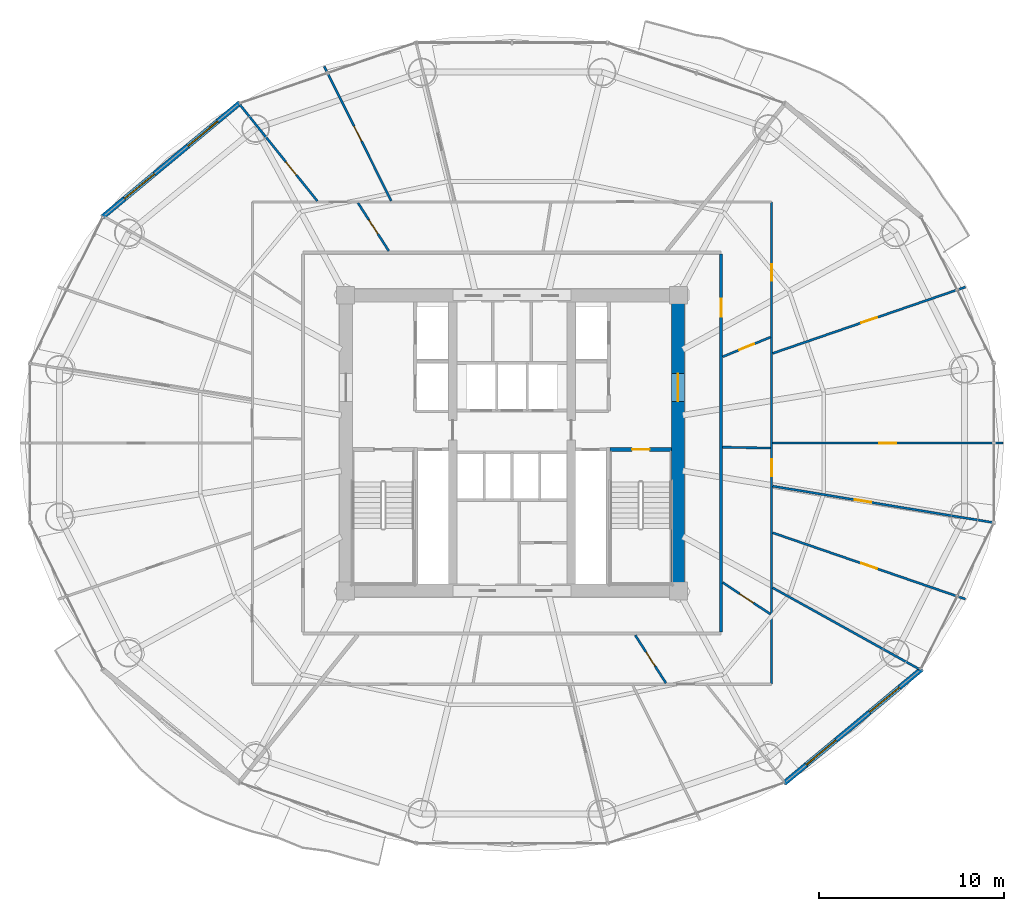
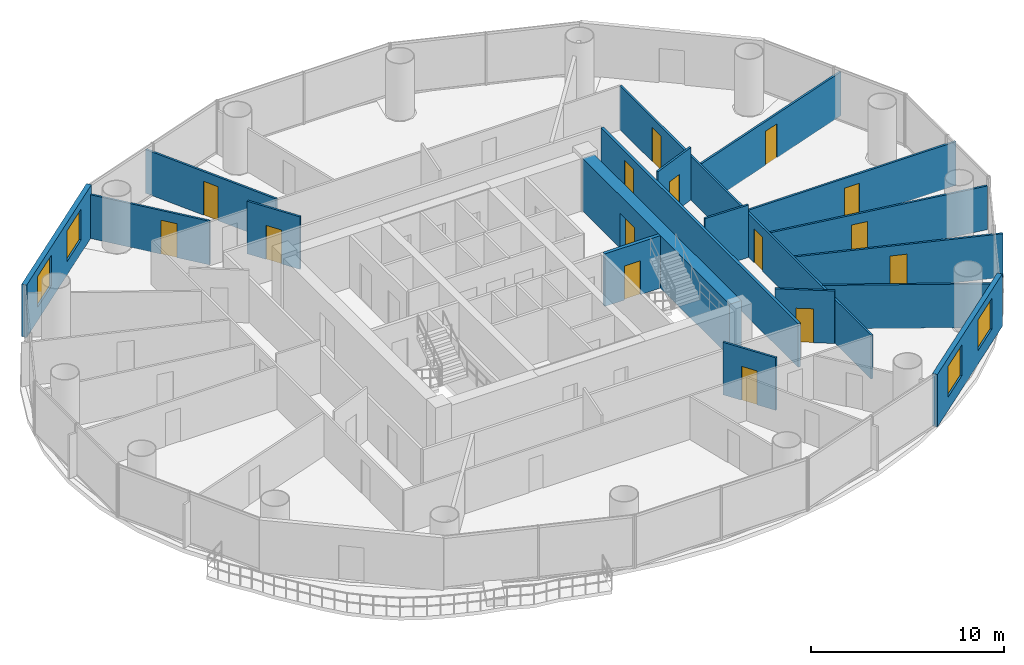
# One storey, part 24 of 29: 18 walls, 15 doors, 4 windows, 19 openings.
"""IFC4 building model written with IfcOpenShell, lengths in metres."""

from ifc_helpers import new_model, si_unit, direction, frame, frame_2d, origin, place, context, subcontext, project, spatial, rectangle, extrude, source, transform, mapped, material, layer, layer_set, type_object, element, fill, save


model = new_model("IFC4")

# Units and contexts
model_context = context("Model", 3, precision=1e-05, world=origin(), true_north=direction((-0.2419218956, 0.970295726276)))
body_context = subcontext(model_context, "Body", "Model", "MODEL_VIEW")
ifc_project = project(units=[si_unit("LENGTHUNIT", "METRE"), si_unit("AREAUNIT", "SQUARE_METRE"), si_unit("VOLUMEUNIT", "CUBIC_METRE"), si_unit("PLANEANGLEUNIT", "RADIAN"), si_unit("MASSUNIT", "GRAM", prefix="KILO")], contexts=[model_context])

# Site, building, storey
site_placement = place(None, origin())
site = spatial("IfcSite", under=ifc_project, at=site_placement, CompositionType="ELEMENT")
building_placement = place(site_placement, origin())
building = spatial("IfcBuilding", under=site, at=building_placement, Name="Cobrevalo Terracotta Tower", CompositionType="ELEMENT")
storey_placement = place(building_placement, frame((0.0, 0.0, 112.199951171875)))
storey = spatial("IfcBuildingStorey", under=building, at=storey_placement, Name="L29", CompositionType="ELEMENT", Elevation=112.199951171875)

# Wall, opening, door
ifc_material_1 = material(Name="Concrete C60", Category="concrete")
ifc_layer_1 = layer(ifc_material_1, 0.699951171875)
ifc_layer_set_1 = layer_set([ifc_layer_1], Name="Concrete C60")
wall_type_1 = type_object("IfcWallType", Name="Core shear wall 700 mm Concrete C60", PredefinedType="SHEAR", material=ifc_layer_set_1)
wall_1_placement = place(storey_placement, frame((46.97509765625, 19.175048828125, 0.0), z_axis=(0.0, 0.0, 1.0), x_axis=(0.0, 1.0, 0.0)))
wall_1 = element("IfcWall", 1, at=wall_1_placement, inside=storey, type_object=wall_type_1, Name="L29 east core shear wall", PredefinedType="SHEAR", context=body_context, shape_type="SweptSolid", body=[
    extrude(rectangle(XDim=15.25, YDim=0.699951171875, at=frame_2d((7.625, 0.0))), origin(), (0.0, 0.0, 1.0), 3.324951171875),
])
opening_1_placement = place(wall_1_placement, frame((9.875, 0.0, 0.0)))
opening_1 = element("IfcOpeningElement", 2, at=opening_1_placement, cuts=wall_1, Name="Opening ID-14", PredefinedType="OPENING", context=body_context, shape_type="SweptSolid", body=[
    extrude(rectangle(XDim=1.5, YDim=2.199951171875, at=frame_2d((0.75, 1.10009765625))), frame((0.0, 0.35986328125, 0.0), z_axis=(0.0, -1.0, 0.0), x_axis=(1.0, 0.0, 0.0)), (0.0, 0.0, 1.0), 0.719970703125),
])
ifc_material_2 = material(Name="Galvanized fire-rated steel", Category="steel")
door_type_1 = type_object("IfcDoorType", Name="Core cross-lobby double fire door 1500x2200 EI 90", OperationType="NOTDEFINED", PredefinedType="DOOR", material=ifc_material_2)
shared_shape_1 = source(origin(), body_context, "Body", "SweptSolid", [
    extrude(rectangle(XDim=1.5, YDim=2.199951171875, at=frame_2d((0.75, 1.10009765625))), frame((0.0, 0.02490234375, 0.0), z_axis=(0.0, -1.0, 0.0), x_axis=(1.0, 0.0, 0.0)), (0.0, 0.0, 1.0), 0.050048828125),
])
door_1_placement = place(opening_1_placement, frame((1.5, 0.0, 0.0), z_axis=(0.0, 0.0, 1.0), x_axis=(-1.0, 0.0, 0.0)))
door_1 = element("IfcDoor", 3, at=door_1_placement, inside=storey, type_object=door_type_1, Name="L29 east firefighting lobby entrance door", OperationType="DOUBLE_DOOR_SINGLE_SWING", OverallHeight=2.199951171875, OverallWidth=1.5, PredefinedType="DOOR", context=body_context, shape_type="MappedRepresentation", body=[
    mapped(shared_shape_1, transform((0.0, 0.0, 0.0), scale=1.0)),
])
fill(opening_1, door_1)

ifc_material_3 = material(Name="Gypsum board on steel stud", Category="steel")
ifc_layer_2 = layer(ifc_material_3, 0.159912109375)
ifc_layer_set_2 = layer_set([ifc_layer_2], Name="Gypsum board on steel stud")
wall_type_2 = type_object("IfcWallType", Name="Fire-rated corridor acoustic partition wall 160 mm", PredefinedType="PARTITIONING", material=ifc_layer_set_2)
wall_2_placement = place(storey_placement, frame((49.304931640625, 16.574951171875, 0.0), z_axis=(0.0, 0.0, 1.0), x_axis=(0.0, 1.0, 0.0)))
wall_2 = element("IfcWall", 4, at=wall_2_placement, inside=storey, type_object=wall_type_2, Name="L29 interior partition IW-L29-COR-E", PredefinedType="PARTITIONING", context=body_context, shape_type="SweptSolid", body=[
    extrude(rectangle(XDim=20.449951171875, YDim=0.159912109375, at=frame_2d((10.22509765625, 0.0))), origin(), (0.0, 0.0, 1.0), 2.76708984375),
])
opening_2_placement = place(wall_2_placement, frame((17.045654296875, 0.0, 0.0)))
opening_2 = element("IfcOpeningElement", 5, at=opening_2_placement, cuts=wall_2, Name="Opening ID-05", PredefinedType="OPENING", context=body_context, shape_type="SweptSolid", body=[
    extrude(rectangle(XDim=0.97998046875, YDim=2.199951171875, at=frame_2d((0.489990234375, 1.10009765625))), frame((0.0, 0.08984375, 0.0), z_axis=(0.0, -1.0, 0.0), x_axis=(1.0, 0.0, 0.0)), (0.0, 0.0, 1.0), 0.179931640625),
])
ifc_material_4 = material(Name="Solid hardwood timber", Category="wood")
door_type_2 = type_object("IfcDoorType", Name="Residence entrance fire-rated acoustic timber door 980x2200 EI 60", OperationType="NOTDEFINED", PredefinedType="DOOR", material=ifc_material_4)
shared_shape_2 = source(origin(), body_context, "Body", "SweptSolid", [
    extrude(rectangle(XDim=0.97998046875, YDim=2.199951171875, at=frame_2d((0.489990234375, 1.10009765625))), frame((0.0, 0.02490234375, 0.0), z_axis=(0.0, -1.0, 0.0), x_axis=(1.0, 0.0, 0.0)), (0.0, 0.0, 1.0), 0.050048828125),
])
door_2_placement = place(opening_2_placement, frame((0.97998046875, 0.0, 0.0), z_axis=(0.0, 0.0, 1.0), x_axis=(-1.0, 0.0, 0.0)))
door_2 = element("IfcDoor", 6, at=door_2_placement, inside=storey, type_object=door_type_2, Name="Flat L29B fire-rated apartment entrance door", OperationType="SINGLE_SWING_RIGHT", OverallHeight=2.199951171875, OverallWidth=0.97998046875, PredefinedType="DOOR", context=body_context, shape_type="MappedRepresentation", body=[
    mapped(shared_shape_2, transform((0.0, 0.0, 0.0), scale=1.0)),
])
fill(opening_2, door_2)

# Wall, openings, windows
ifc_material_5 = material(Name="Autoclaved aerated concrete block", Category="concrete")
ifc_layer_3 = layer(ifc_material_5, 0.280029296875)
ifc_layer_set_3 = layer_set([ifc_layer_3], Name="Autoclaved aerated concrete block")
wall_type_3 = type_object("IfcWallType", Name="Insulated tower spandrel & pier wall 280 mm with terracotta rainscreen", PredefinedType="SOLIDWALL", material=ifc_layer_set_3)
wall_3_placement = place(storey_placement, frame((23.300048828125, 45.20166015625, 0.0), z_axis=(0.0, 0.0, 1.0), x_axis=(-0.769242574941, -0.638956853706, 0.0)))
wall_3 = element("IfcWall", 7, at=wall_3_placement, inside=storey, type_object=wall_type_3, Name="L29 terracotta rainscreen pier wall S06", PredefinedType="SOLIDWALL", context=body_context, shape_type="SweptSolid", body=[
    extrude(rectangle(XDim=9.68994140625, YDim=0.280029296875, at=frame_2d((4.844970703125, 0.0))), origin(), (0.0, 0.0, 1.0), 3.324951171875),
])
opening_3_placement = place(wall_3_placement, frame((1.566162109375, 0.0, 0.85009765625)))
opening_3 = element("IfcOpeningElement", 8, at=opening_3_placement, cuts=wall_3, Name="Opening WN-10", PredefinedType="OPENING", context=body_context, shape_type="SweptSolid", body=[
    extrude(rectangle(XDim=2.10009765625, YDim=1.949951171875, at=frame_2d((1.050048828125, 0.97509765625))), frame((0.0, 0.14990234375, 0.0), z_axis=(0.0, -1.0, 0.0), x_axis=(1.0, 0.0, 0.0)), (0.0, 0.0, 1.0), 0.300048828125),
])
opening_4_placement = place(wall_3_placement, frame((6.0234375, 0.0, 0.85009765625)))
opening_4 = element("IfcOpeningElement", 9, at=opening_4_placement, cuts=wall_3, Name="Opening WN-10", PredefinedType="OPENING", context=body_context, shape_type="SweptSolid", body=[
    extrude(rectangle(XDim=2.10009765625, YDim=1.949951171875, at=frame_2d((1.050048828125, 0.97509765625))), frame((0.0, 0.14990234375, 0.0), z_axis=(0.0, -1.0, 0.0), x_axis=(1.0, 0.0, 0.0)), (0.0, 0.0, 1.0), 0.300048828125),
])
ifc_material_6 = material(Name="Solar-control low-E double glazing", Category="glass")
window_type = type_object("IfcWindowType", Name="Wide panoramic low-E aluminium window 2100x1950", PartitioningType="SINGLE_PANEL", PredefinedType="WINDOW", material=ifc_material_6)
shared_shape_3 = source(origin(), body_context, "Body", "SweptSolid", [
    extrude(rectangle(XDim=2.10009765625, YDim=1.949951171875, at=frame_2d((1.050048828125, 0.97509765625))), frame((0.0, 0.030029296875, 0.0), z_axis=(0.0, -1.0, 0.0), x_axis=(1.0, 0.0, 0.0)), (0.0, 0.0, 1.0), 0.06005859375),
])
window_1_placement = place(opening_3_placement, origin())
window_1 = element("IfcWindow", 10, at=window_1_placement, inside=storey, type_object=window_type, Name="L29 suite window S06A", OverallHeight=1.949951171875, OverallWidth=2.10009765625, PartitioningType="SINGLE_PANEL", PredefinedType="WINDOW", context=body_context, shape_type="MappedRepresentation", body=[
    mapped(shared_shape_3, transform((0.0, 0.0, 0.0), scale=1.0)),
])
fill(opening_3, window_1)
window_2_placement = place(opening_4_placement, origin())
window_2 = element("IfcWindow", 11, at=window_2_placement, inside=storey, type_object=window_type, Name="L29 suite window S06B", OverallHeight=1.949951171875, OverallWidth=2.10009765625, PartitioningType="SINGLE_PANEL", PredefinedType="WINDOW", context=body_context, shape_type="MappedRepresentation", body=[
    mapped(shared_shape_3, transform((0.0, 0.0, 0.0), scale=1.0)),
])
fill(opening_4, window_2)

wall_4_placement = place(storey_placement, frame((52.699951171875, 8.3984375, 0.0), z_axis=(0.0, 0.0, 1.0), x_axis=(0.769254958887, 0.638941944333, 0.0)))
wall_4 = element("IfcWall", 12, at=wall_4_placement, inside=storey, type_object=wall_type_3, Name="L29 terracotta rainscreen pier wall S14", PredefinedType="SOLIDWALL", context=body_context, shape_type="SweptSolid", body=[
    extrude(rectangle(XDim=9.689697265625, YDim=0.280029296875, at=frame_2d((4.8447265625, 0.0))), origin(), (0.0, 0.0, 1.0), 3.324951171875),
])
opening_5_placement = place(wall_4_placement, frame((1.566162109375, 0.0, 0.85009765625)))
opening_5 = element("IfcOpeningElement", 13, at=opening_5_placement, cuts=wall_4, Name="Opening WN-10", PredefinedType="OPENING", context=body_context, shape_type="SweptSolid", body=[
    extrude(rectangle(XDim=2.10009765625, YDim=1.949951171875, at=frame_2d((1.050048828125, 0.97509765625))), frame((0.0, 0.14990234375, 0.0), z_axis=(0.0, -1.0, 0.0), x_axis=(1.0, 0.0, 0.0)), (0.0, 0.0, 1.0), 0.300048828125),
])
opening_6_placement = place(wall_4_placement, frame((6.0234375, 0.0, 0.85009765625)))
opening_6 = element("IfcOpeningElement", 14, at=opening_6_placement, cuts=wall_4, Name="Opening WN-10", PredefinedType="OPENING", context=body_context, shape_type="SweptSolid", body=[
    extrude(rectangle(XDim=2.10009765625, YDim=1.949951171875, at=frame_2d((1.050048828125, 0.97509765625))), frame((0.0, 0.14990234375, 0.0), z_axis=(0.0, -1.0, 0.0), x_axis=(1.0, 0.0, 0.0)), (0.0, 0.0, 1.0), 0.300048828125),
])
window_3_placement = place(opening_5_placement, origin())
window_3 = element("IfcWindow", 15, at=window_3_placement, inside=storey, type_object=window_type, Name="L29 suite window S14A", OverallHeight=1.949951171875, OverallWidth=2.10009765625, PartitioningType="SINGLE_PANEL", PredefinedType="WINDOW", context=body_context, shape_type="MappedRepresentation", body=[
    mapped(shared_shape_3, transform((0.0, 0.0, 0.0), scale=1.0)),
])
fill(opening_5, window_3)
window_4_placement = place(opening_6_placement, origin())
window_4 = element("IfcWindow", 16, at=window_4_placement, inside=storey, type_object=window_type, Name="L29 suite window S14B", OverallHeight=1.949951171875, OverallWidth=2.10009765625, PartitioningType="SINGLE_PANEL", PredefinedType="WINDOW", context=body_context, shape_type="MappedRepresentation", body=[
    mapped(shared_shape_3, transform((0.0, 0.0, 0.0), scale=1.0)),
])
fill(opening_6, window_4)

# Wall, opening, door
ifc_layer_4 = layer(ifc_material_3, 0.1201171875)
ifc_layer_set_4 = layer_set([ifc_layer_4], Name="Gypsum board on steel stud")
wall_type_4 = type_object("IfcWallType", Name="Residential internal acoustic stud partition 120 mm", PredefinedType="PARTITIONING", material=ifc_layer_set_4)
wall_5_placement = place(storey_placement, frame((31.4736328125, 39.890380859375, 0.0), z_axis=(0.0, 0.0, 1.0), x_axis=(-0.446167584581, 0.894949432353, 0.0)))
wall_5 = element("IfcWall", 17, at=wall_5_placement, inside=storey, type_object=wall_type_4, Name="L29 interior partition IW-L29-U1-ORAD2M1", PredefinedType="PARTITIONING", context=body_context, shape_type="SweptSolid", body=[
    extrude(rectangle(XDim=8.124755859375, YDim=0.1201171875, at=frame_2d((4.0625, 0.0))), origin(), (0.0, 0.0, 1.0), 2.76708984375),
])
opening_7_placement = place(wall_5_placement, frame((3.6123046875, 0.0, 0.0)))
opening_7 = element("IfcOpeningElement", 18, at=opening_7_placement, cuts=wall_5, Name="Opening ID-12", PredefinedType="OPENING", context=body_context, shape_type="SweptSolid", body=[
    extrude(rectangle(XDim=0.89990234375, YDim=2.14990234375, at=frame_2d((0.449951171875, 1.074951171875))), frame((0.0, 0.070068359375, 0.0), z_axis=(0.0, -1.0, 0.0), x_axis=(1.0, 0.0, 0.0)), (0.0, 0.0, 1.0), 0.14013671875),
])
ifc_material_7 = material(Name="Engineered timber", Category="wood")
door_type_3 = type_object("IfcDoorType", Name="Internal residence & suite timber door 900x2150", OperationType="NOTDEFINED", PredefinedType="DOOR", material=ifc_material_7)
shared_shape_4 = source(origin(), body_context, "Body", "SweptSolid", [
    extrude(rectangle(XDim=0.89990234375, YDim=2.14990234375, at=frame_2d((0.449951171875, 1.074951171875))), frame((0.0, 0.02490234375, 0.0), z_axis=(0.0, -1.0, 0.0), x_axis=(1.0, 0.0, 0.0)), (0.0, 0.0, 1.0), 0.050048828125),
])
door_3_placement = place(opening_7_placement, frame((0.89990234375, 0.0, 0.0), z_axis=(0.0, 0.0, 1.0), x_axis=(-1.0, 0.0, 0.0)))
door_3 = element("IfcDoor", 19, at=door_3_placement, inside=storey, type_object=door_type_3, Name="Flat L29A Master Bedroom internal door", OperationType="SINGLE_SWING_LEFT", OverallHeight=2.14990234375, OverallWidth=0.89990234375, PredefinedType="DOOR", context=body_context, shape_type="MappedRepresentation", body=[
    mapped(shared_shape_4, transform((0.0, 0.0, 0.0), scale=1.0)),
])
fill(opening_7, door_3)

wall_6_placement = place(storey_placement, frame((27.47802734375, 39.88330078125, 0.0), z_axis=(0.0, 0.0, 1.0), x_axis=(-0.62672583251, 0.779239841682, 0.0)))
wall_6 = element("IfcWall", 20, at=wall_6_placement, inside=storey, type_object=wall_type_4, Name="L29 interior partition IW-L29-U1-ORAD2", PredefinedType="PARTITIONING", context=body_context, shape_type="SweptSolid", body=[
    extrude(rectangle(XDim=6.678466796875, YDim=0.1201171875, at=frame_2d((3.33935546875, 0.0))), origin(), (0.0, 0.0, 1.0), 2.76708984375),
])
opening_8_placement = place(wall_6_placement, frame((1.8212890625, 0.0, 0.0)))
opening_8 = element("IfcOpeningElement", 21, at=opening_8_placement, cuts=wall_6, Name="Opening ID-12", PredefinedType="OPENING", context=body_context, shape_type="SweptSolid", body=[
    extrude(rectangle(XDim=0.89990234375, YDim=2.14990234375, at=frame_2d((0.449951171875, 1.074951171875))), frame((0.0, 0.070068359375, 0.0), z_axis=(0.0, -1.0, 0.0), x_axis=(1.0, 0.0, 0.0)), (0.0, 0.0, 1.0), 0.14013671875),
])
door_4_placement = place(opening_8_placement, origin())
door_4 = element("IfcDoor", 22, at=door_4_placement, inside=storey, type_object=door_type_3, Name="Flat L29A Principal Guest Bedroom internal door", OperationType="SINGLE_SWING_RIGHT", OverallHeight=2.14990234375, OverallWidth=0.89990234375, PredefinedType="DOOR", context=body_context, shape_type="MappedRepresentation", body=[
    mapped(shared_shape_4, transform((0.0, 0.0, 0.0), scale=1.0)),
])
fill(opening_8, door_4)

wall_7_placement = place(storey_placement, frame((31.33984375, 37.18505859375, 0.0), z_axis=(0.0, 0.0, 1.0), x_axis=(-0.539861631895, 0.841753775405, 0.0)))
wall_7 = element("IfcWall", 23, at=wall_7_placement, inside=storey, type_object=wall_type_4, Name="L29 interior partition IW-L29-U1-IRAD2", PredefinedType="PARTITIONING", context=body_context, shape_type="SweptSolid", body=[
    extrude(rectangle(XDim=3.0859375, YDim=0.1201171875, at=frame_2d((1.54296875, 0.0))), origin(), (0.0, 0.0, 1.0), 3.324951171875),
])
opening_9_placement = place(wall_7_placement, frame((1.093017578125, 0.0, 0.0)))
opening_9 = element("IfcOpeningElement", 24, at=opening_9_placement, cuts=wall_7, Name="Opening ID-12", PredefinedType="OPENING", context=body_context, shape_type="SweptSolid", body=[
    extrude(rectangle(XDim=0.89990234375, YDim=2.14990234375, at=frame_2d((0.449951171875, 1.074951171875))), frame((0.0, 0.070068359375, 0.0), z_axis=(0.0, -1.0, 0.0), x_axis=(1.0, 0.0, 0.0)), (0.0, 0.0, 1.0), 0.14013671875),
])
door_5_placement = place(opening_9_placement, frame((0.89990234375, 0.0, 0.0), z_axis=(0.0, 0.0, 1.0), x_axis=(-1.0, 0.0, 0.0)))
door_5 = element("IfcDoor", 25, at=door_5_placement, inside=storey, type_object=door_type_3, Name="Flat L29A Utility Closet internal door", OperationType="SINGLE_SWING_RIGHT", OverallHeight=2.14990234375, OverallWidth=0.89990234375, PredefinedType="DOOR", context=body_context, shape_type="MappedRepresentation", body=[
    mapped(shared_shape_4, transform((0.0, 0.0, 0.0), scale=1.0)),
])
fill(opening_9, door_5)

# Wall, openings, doors
wall_8_placement = place(storey_placement, frame((52.034912109375, 39.8349609375, 0.0), z_axis=(0.0, 0.0, 1.0), x_axis=(0.0, -1.0, 0.0)))
wall_8 = element("IfcWall", 26, at=wall_8_placement, inside=storey, type_object=wall_type_4, Name="L29 interior partition IW-L29-U2-RING1_0", PredefinedType="PARTITIONING", context=body_context, shape_type="SweptSolid", body=[
    extrude(rectangle(XDim=26.070068359375, YDim=0.1201171875, at=frame_2d((13.03515625, 0.0))), origin(), (0.0, 0.0, 1.0), 2.76708984375),
])
opening_10_placement = place(wall_8_placement, frame((3.362060546875, 0.0, 0.0)))
opening_10 = element("IfcOpeningElement", 27, at=opening_10_placement, cuts=wall_8, Name="Opening ID-12", PredefinedType="OPENING", context=body_context, shape_type="SweptSolid", body=[
    extrude(rectangle(XDim=0.89990234375, YDim=2.14990234375, at=frame_2d((0.449951171875, 1.074951171875))), frame((0.0, 0.070068359375, 0.0), z_axis=(0.0, -1.0, 0.0), x_axis=(1.0, 0.0, 0.0)), (0.0, 0.0, 1.0), 0.14013671875),
])
opening_11_placement = place(wall_8_placement, frame((13.923583984375, 0.0, 0.0)))
opening_11 = element("IfcOpeningElement", 28, at=opening_11_placement, cuts=wall_8, Name="Opening ID-12", PredefinedType="OPENING", context=body_context, shape_type="SweptSolid", body=[
    extrude(rectangle(XDim=0.89990234375, YDim=2.14990234375, at=frame_2d((0.449951171875, 1.074951171875))), frame((0.0, 0.070068359375, 0.0), z_axis=(0.0, -1.0, 0.0), x_axis=(1.0, 0.0, 0.0)), (0.0, 0.0, 1.0), 0.14013671875),
])
door_6_placement = place(opening_10_placement, origin())
door_6 = element("IfcDoor", 29, at=door_6_placement, inside=storey, type_object=door_type_3, Name="Flat L29B Private Cinema Room internal door", OperationType="SINGLE_SWING_RIGHT", OverallHeight=2.14990234375, OverallWidth=0.89990234375, PredefinedType="DOOR", context=body_context, shape_type="MappedRepresentation", body=[
    mapped(shared_shape_4, transform((0.0, 0.0, 0.0), scale=1.0)),
])
fill(opening_10, door_6)
door_7_placement = place(opening_11_placement, frame((0.89990234375, 0.0, 0.0), z_axis=(0.0, 0.0, 1.0), x_axis=(-1.0, 0.0, 0.0)))
door_7 = element("IfcDoor", 30, at=door_7_placement, inside=storey, type_object=door_type_3, Name="Flat L29B Kitchen internal door", OperationType="SINGLE_SWING_LEFT", OverallHeight=2.14990234375, OverallWidth=0.89990234375, PredefinedType="DOOR", context=body_context, shape_type="MappedRepresentation", body=[
    mapped(shared_shape_4, transform((0.0, 0.0, 0.0), scale=1.0)),
])
fill(opening_11, door_7)

# Wall
wall_9_placement = place(storey_placement, frame((52.089111328125, 18.978515625, 0.0), z_axis=(0.0, 0.0, 1.0), x_axis=(0.874313476423, -0.485361664066, 0.0)))
element("IfcWall", 31, at=wall_9_placement, inside=storey, type_object=wall_type_4, Name="L29 interior partition IW-L29-U2-ORAD3", PredefinedType="PARTITIONING", context=body_context, shape_type="SweptSolid", body=[
    extrude(rectangle(XDim=9.065673828125, YDim=0.1201171875, at=frame_2d((4.53271484375, 0.0))), origin(), (0.0, 0.0, 1.0), 2.76708984375),
])

# Wall, opening, door
wall_10_placement = place(storey_placement, frame((52.09375, 21.94970703125, 0.0), z_axis=(0.0, 0.0, 1.0), x_axis=(0.945573120726, -0.32540970078, 0.0)))
wall_10 = element("IfcWall", 32, at=wall_10_placement, inside=storey, type_object=wall_type_4, Name="L29 interior partition IW-L29-U2-ORAD4M1", PredefinedType="PARTITIONING", context=body_context, shape_type="SweptSolid", body=[
    extrude(rectangle(XDim=11.02197265625, YDim=0.1201171875, at=frame_2d((5.510986328125, 0.0))), origin(), (0.0, 0.0, 1.0), 2.76708984375),
])
opening_12_placement = place(wall_10_placement, frame((5.06103515625, 0.0, 0.0)))
opening_12 = element("IfcOpeningElement", 33, at=opening_12_placement, cuts=wall_10, Name="Opening ID-12", PredefinedType="OPENING", context=body_context, shape_type="SweptSolid", body=[
    extrude(rectangle(XDim=0.89990234375, YDim=2.14990234375, at=frame_2d((0.449951171875, 1.074951171875))), frame((0.0, 0.070068359375, 0.0), z_axis=(0.0, -1.0, 0.0), x_axis=(1.0, 0.0, 0.0)), (0.0, 0.0, 1.0), 0.14013671875),
])
door_8_placement = place(opening_12_placement, frame((0.89990234375, 0.0, 0.0), z_axis=(0.0, 0.0, 1.0), x_axis=(-1.0, 0.0, 0.0)))
door_8 = element("IfcDoor", 34, at=door_8_placement, inside=storey, type_object=door_type_3, Name="Flat L29B South Bedroom internal door", OperationType="SINGLE_SWING_RIGHT", OverallHeight=2.14990234375, OverallWidth=0.89990234375, PredefinedType="DOOR", context=body_context, shape_type="MappedRepresentation", body=[
    mapped(shared_shape_4, transform((0.0, 0.0, 0.0), scale=1.0)),
])
fill(opening_12, door_8)

wall_11_placement = place(storey_placement, frame((52.09619140625, 24.470458984375, 0.0), z_axis=(0.0, 0.0, 1.0), x_axis=(0.986618264768, -0.163047231274, 0.0)))
wall_11 = element("IfcWall", 35, at=wall_11_placement, inside=storey, type_object=wall_type_4, Name="L29 interior partition IW-L29-U2-ORAD4M2", PredefinedType="PARTITIONING", context=body_context, shape_type="SweptSolid", body=[
    extrude(rectangle(XDim=12.038818359375, YDim=0.1201171875, at=frame_2d((6.01953125, 0.0))), origin(), (0.0, 0.0, 1.0), 2.76708984375),
])
opening_13_placement = place(wall_11_placement, frame((4.496337890625, 0.0, 0.0)))
opening_13 = element("IfcOpeningElement", 36, at=opening_13_placement, cuts=wall_11, Name="Opening ID-12", PredefinedType="OPENING", context=body_context, shape_type="SweptSolid", body=[
    extrude(rectangle(XDim=0.89990234375, YDim=2.14990234375, at=frame_2d((0.449951171875, 1.074951171875))), frame((0.0, 0.070068359375, 0.0), z_axis=(0.0, -1.0, 0.0), x_axis=(1.0, 0.0, 0.0)), (0.0, 0.0, 1.0), 0.14013671875),
])
door_9_placement = place(opening_13_placement, frame((0.89990234375, 0.0, 0.0), z_axis=(0.0, 0.0, 1.0), x_axis=(-1.0, 0.0, 0.0)))
door_9 = element("IfcDoor", 37, at=door_9_placement, inside=storey, type_object=door_type_3, Name="Flat L29B Penthouse Family Lounge internal door", OperationType="SINGLE_SWING_RIGHT", OverallHeight=2.14990234375, OverallWidth=0.89990234375, PredefinedType="DOOR", context=body_context, shape_type="MappedRepresentation", body=[
    mapped(shared_shape_4, transform((0.0, 0.0, 0.0), scale=1.0)),
])
fill(opening_13, door_9)

wall_12_placement = place(storey_placement, frame((52.096923828125, 26.800048828125, 0.0), z_axis=(0.0, 0.0, 1.0), x_axis=(1.0, 0.0, 0.0)))
wall_12 = element("IfcWall", 38, at=wall_12_placement, inside=storey, type_object=wall_type_4, Name="L29 interior partition IW-L29-U2-ORAD4", PredefinedType="PARTITIONING", context=body_context, shape_type="SweptSolid", body=[
    extrude(rectangle(XDim=12.443115234375, YDim=0.1201171875, at=frame_2d((6.2216796875, 0.0))), origin(), (0.0, 0.0, 1.0), 2.76708984375),
])
opening_14_placement = place(wall_12_placement, frame((5.771484375, 0.0, 0.0)))
opening_14 = element("IfcOpeningElement", 39, at=opening_14_placement, cuts=wall_12, Name="Opening ID-12", PredefinedType="OPENING", context=body_context, shape_type="SweptSolid", body=[
    extrude(rectangle(XDim=0.89990234375, YDim=2.14990234375, at=frame_2d((0.449951171875, 1.074951171875))), frame((0.0, 0.070068359375, 0.0), z_axis=(0.0, -1.0, 0.0), x_axis=(1.0, 0.0, 0.0)), (0.0, 0.0, 1.0), 0.14013671875),
])
door_10_placement = place(opening_14_placement, frame((0.89990234375, 0.0, 0.0), z_axis=(0.0, 0.0, 1.0), x_axis=(-1.0, 0.0, 0.0)))
door_10 = element("IfcDoor", 40, at=door_10_placement, inside=storey, type_object=door_type_3, Name="Flat L29B Penthouse Family Lounge internal door", OperationType="SINGLE_SWING_RIGHT", OverallHeight=2.14990234375, OverallWidth=0.89990234375, PredefinedType="DOOR", context=body_context, shape_type="MappedRepresentation", body=[
    mapped(shared_shape_4, transform((0.0, 0.0, 0.0), scale=1.0)),
])
fill(opening_14, door_10)

wall_13_placement = place(storey_placement, frame((52.09375, 31.650146484375, 0.0), z_axis=(0.0, 0.0, 1.0), x_axis=(0.945573120726, 0.32540970078, 0.0)))
wall_13 = element("IfcWall", 41, at=wall_13_placement, inside=storey, type_object=wall_type_4, Name="L29 interior partition IW-L29-U2-ORAD5", PredefinedType="PARTITIONING", context=body_context, shape_type="SweptSolid", body=[
    extrude(rectangle(XDim=11.02197265625, YDim=0.1201171875, at=frame_2d((5.510986328125, 0.0))), origin(), (0.0, 0.0, 1.0), 2.76708984375),
])
opening_15_placement = place(wall_13_placement, frame((5.06103515625, 0.0, 0.0)))
opening_15 = element("IfcOpeningElement", 42, at=opening_15_placement, cuts=wall_13, Name="Opening ID-12", PredefinedType="OPENING", context=body_context, shape_type="SweptSolid", body=[
    extrude(rectangle(XDim=0.89990234375, YDim=2.14990234375, at=frame_2d((0.449951171875, 1.074951171875))), frame((0.0, 0.070068359375, 0.0), z_axis=(0.0, -1.0, 0.0), x_axis=(1.0, 0.0, 0.0)), (0.0, 0.0, 1.0), 0.14013671875),
])
door_11_placement = place(opening_15_placement, frame((0.89990234375, 0.0, 0.0), z_axis=(0.0, 0.0, 1.0), x_axis=(-1.0, 0.0, 0.0)))
door_11 = element("IfcDoor", 43, at=door_11_placement, inside=storey, type_object=door_type_3, Name="Flat L29B Penthouse Family Lounge internal door", OperationType="SINGLE_SWING_LEFT", OverallHeight=2.14990234375, OverallWidth=0.89990234375, PredefinedType="DOOR", context=body_context, shape_type="MappedRepresentation", body=[
    mapped(shared_shape_4, transform((0.0, 0.0, 0.0), scale=1.0)),
])
fill(opening_15, door_11)

wall_14_placement = place(storey_placement, frame((44.66015625, 16.4150390625, 0.0), z_axis=(0.0, 0.0, 1.0), x_axis=(0.539825682796, -0.841776830397, 0.0)))
wall_14 = element("IfcWall", 44, at=wall_14_placement, inside=storey, type_object=wall_type_4, Name="L29 interior partition IW-L29-U2-IRAD2", PredefinedType="PARTITIONING", context=body_context, shape_type="SweptSolid", body=[
    extrude(rectangle(XDim=3.086181640625, YDim=0.1201171875, at=frame_2d((1.54296875, 0.0))), origin(), (0.0, 0.0, 1.0), 3.324951171875),
])
opening_16_placement = place(wall_14_placement, frame((1.093017578125, 0.0, 0.0)))
opening_16 = element("IfcOpeningElement", 45, at=opening_16_placement, cuts=wall_14, Name="Opening ID-12", PredefinedType="OPENING", context=body_context, shape_type="SweptSolid", body=[
    extrude(rectangle(XDim=0.89990234375, YDim=2.14990234375, at=frame_2d((0.449951171875, 1.074951171875))), frame((0.0, 0.070068359375, 0.0), z_axis=(0.0, -1.0, 0.0), x_axis=(1.0, 0.0, 0.0)), (0.0, 0.0, 1.0), 0.14013671875),
])
door_12_placement = place(opening_16_placement, frame((0.89990234375, 0.0, 0.0), z_axis=(0.0, 0.0, 1.0), x_axis=(-1.0, 0.0, 0.0)))
door_12 = element("IfcDoor", 46, at=door_12_placement, inside=storey, type_object=door_type_3, Name="Flat L29B Utility Closet internal door", OperationType="SINGLE_SWING_LEFT", OverallHeight=2.14990234375, OverallWidth=0.89990234375, PredefinedType="DOOR", context=body_context, shape_type="MappedRepresentation", body=[
    mapped(shared_shape_4, transform((0.0, 0.0, 0.0), scale=1.0)),
])
fill(opening_16, door_12)

wall_15_placement = place(storey_placement, frame((49.38671875, 19.261474609375, 0.0), z_axis=(0.0, 0.0, 1.0), x_axis=(0.833806969544, -0.552056099993, 0.0)))
wall_15 = element("IfcWall", 47, at=wall_15_placement, inside=storey, type_object=wall_type_4, Name="L29 interior partition IW-L29-U2-IRAD3", PredefinedType="PARTITIONING", context=body_context, shape_type="SweptSolid", body=[
    extrude(rectangle(XDim=3.1142578125, YDim=0.1201171875, at=frame_2d((1.55712890625, 0.0))), origin(), (0.0, 0.0, 1.0), 3.324951171875),
])
opening_17_placement = place(wall_15_placement, frame((1.107177734375, 0.0, 0.0)))
opening_17 = element("IfcOpeningElement", 48, at=opening_17_placement, cuts=wall_15, Name="Opening ID-12", PredefinedType="OPENING", context=body_context, shape_type="SweptSolid", body=[
    extrude(rectangle(XDim=0.89990234375, YDim=2.14990234375, at=frame_2d((0.449951171875, 1.074951171875))), frame((0.0, 0.070068359375, 0.0), z_axis=(0.0, -1.0, 0.0), x_axis=(1.0, 0.0, 0.0)), (0.0, 0.0, 1.0), 0.14013671875),
])
door_13_placement = place(opening_17_placement, frame((0.89990234375, 0.0, 0.0), z_axis=(0.0, 0.0, 1.0), x_axis=(-1.0, 0.0, 0.0)))
door_13 = element("IfcDoor", 49, at=door_13_placement, inside=storey, type_object=door_type_3, Name="Flat L29B Private Wellness Room internal door", OperationType="SINGLE_SWING_LEFT", OverallHeight=2.14990234375, OverallWidth=0.89990234375, PredefinedType="DOOR", context=body_context, shape_type="MappedRepresentation", body=[
    mapped(shared_shape_4, transform((0.0, 0.0, 0.0), scale=1.0)),
])
fill(opening_17, door_13)

# Wall
wall_16_placement = place(storey_placement, frame((49.386962890625, 26.5771484375, 0.0), z_axis=(0.0, 0.0, 1.0), x_axis=(0.999807240787, -0.019633676934, 0.0)))
element("IfcWall", 50, at=wall_16_placement, inside=storey, type_object=wall_type_4, Name="L29 interior partition IW-L29-U2-IRAD4", PredefinedType="PARTITIONING", context=body_context, shape_type="SweptSolid", body=[
    extrude(rectangle(XDim=2.58642578125, YDim=0.1201171875, at=frame_2d((1.293212890625, 0.0))), origin(), (0.0, 0.0, 1.0), 3.324951171875),
])

# Wall, opening, door
wall_17_placement = place(storey_placement, frame((49.386962890625, 31.46533203125, 0.0), z_axis=(0.0, 0.0, 1.0), x_axis=(0.925328713836, 0.37916588896, 0.0)))
wall_17 = element("IfcWall", 51, at=wall_17_placement, inside=storey, type_object=wall_type_4, Name="L29 interior partition IW-L29-U2-IRAD5", PredefinedType="PARTITIONING", context=body_context, shape_type="SweptSolid", body=[
    extrude(rectangle(XDim=2.799560546875, YDim=0.1201171875, at=frame_2d((1.39990234375, 0.0))), origin(), (0.0, 0.0, 1.0), 3.324951171875),
])
opening_18_placement = place(wall_17_placement, frame((0.969970703125, 0.0, 0.0)))
opening_18 = element("IfcOpeningElement", 52, at=opening_18_placement, cuts=wall_17, Name="Opening ID-19", PredefinedType="OPENING", context=body_context, shape_type="SweptSolid", body=[
    extrude(rectangle(XDim=0.860107421875, YDim=2.14990234375, at=frame_2d((0.43017578125, 1.074951171875))), frame((0.0, 0.070068359375, 0.0), z_axis=(0.0, -1.0, 0.0), x_axis=(1.0, 0.0, 0.0)), (0.0, 0.0, 1.0), 0.14013671875),
])
ifc_material_8 = material(Name="Moisture-sealed timber", Category="wood")
door_type_4 = type_object("IfcDoorType", Name="Suite bathroom internal timber door 860x2150", OperationType="NOTDEFINED", PredefinedType="DOOR", material=ifc_material_8)
shared_shape_5 = source(origin(), body_context, "Body", "SweptSolid", [
    extrude(rectangle(XDim=0.860107421875, YDim=2.14990234375, at=frame_2d((0.43017578125, 1.074951171875))), frame((0.0, 0.02490234375, 0.0), z_axis=(0.0, -1.0, 0.0), x_axis=(1.0, 0.0, 0.0)), (0.0, 0.0, 1.0), 0.050048828125),
])
door_14_placement = place(opening_18_placement, frame((0.860107421875, 0.0, 0.0), z_axis=(0.0, 0.0, 1.0), x_axis=(-1.0, 0.0, 0.0)))
door_14 = element("IfcDoor", 53, at=door_14_placement, inside=storey, type_object=door_type_4, Name="Flat L29B Primary Bathroom internal door", OperationType="SINGLE_SWING_LEFT", OverallHeight=2.14990234375, OverallWidth=0.860107421875, PredefinedType="DOOR", context=body_context, shape_type="MappedRepresentation", body=[
    mapped(shared_shape_5, transform((0.0, 0.0, 0.0), scale=1.0)),
])
fill(opening_18, door_14)

ifc_material_9 = material(Name="Concrete C50", Category="concrete")
ifc_layer_5 = layer(ifc_material_9, 0.199951171875)
ifc_layer_set_5 = layer_set([ifc_layer_5], Name="Concrete C50")
wall_type_5 = type_object("IfcWallType", Name="Structural core & podium stair-shaft RC wall 200 mm Concrete C50", PredefinedType="SOLIDWALL", material=ifc_layer_set_5)
wall_18_placement = place(storey_placement, frame((43.304931640625, 26.449951171875, 0.0), z_axis=(0.0, 0.0, 1.0), x_axis=(1.0, 0.0, 0.0)))
wall_18 = element("IfcWall", 54, at=wall_18_placement, inside=storey, type_object=wall_type_5, Name="L29 ST-2 north structural shaft wall", PredefinedType="SOLIDWALL", context=body_context, shape_type="SweptSolid", body=[
    extrude(rectangle(XDim=3.320068359375, YDim=0.199951171875, at=frame_2d((1.66015625, 0.0))), origin(), (0.0, 0.0, 1.0), 3.324951171875),
])
opening_19_placement = place(wall_18_placement, frame((1.18505859375, 0.0, 0.0)))
opening_19 = element("IfcOpeningElement", 55, at=opening_19_placement, cuts=wall_18, Name="Opening ID-04", PredefinedType="OPENING", context=body_context, shape_type="SweptSolid", body=[
    extrude(rectangle(XDim=0.949951171875, YDim=2.14990234375, at=frame_2d((0.47509765625, 1.074951171875))), frame((0.0, 0.10986328125, 0.0), z_axis=(0.0, -1.0, 0.0), x_axis=(1.0, 0.0, 0.0)), (0.0, 0.0, 1.0), 0.219970703125),
])
door_type_5 = type_object("IfcDoorType", Name="Stair & firefighting lobby fire door 950x2150 EI 90", OperationType="NOTDEFINED", PredefinedType="DOOR", material=ifc_material_2)
shared_shape_6 = source(origin(), body_context, "Body", "SweptSolid", [
    extrude(rectangle(XDim=0.949951171875, YDim=2.14990234375, at=frame_2d((0.47509765625, 1.074951171875))), frame((0.0, 0.02490234375, 0.0), z_axis=(0.0, -1.0, 0.0), x_axis=(1.0, 0.0, 0.0)), (0.0, 0.0, 1.0), 0.050048828125),
])
door_15_placement = place(opening_19_placement, frame((0.949951171875, 0.0, 0.0), z_axis=(0.0, 0.0, 1.0), x_axis=(-1.0, 0.0, 0.0)))
door_15 = element("IfcDoor", 56, at=door_15_placement, inside=storey, type_object=door_type_5, Name="L29 protected stair ST2 fire door", OperationType="SINGLE_SWING_RIGHT", OverallHeight=2.14990234375, OverallWidth=0.949951171875, PredefinedType="DOOR", context=body_context, shape_type="MappedRepresentation", body=[
    mapped(shared_shape_6, transform((0.0, 0.0, 0.0), scale=1.0)),
])
fill(opening_19, door_15)

save(model, "model.ifc")
